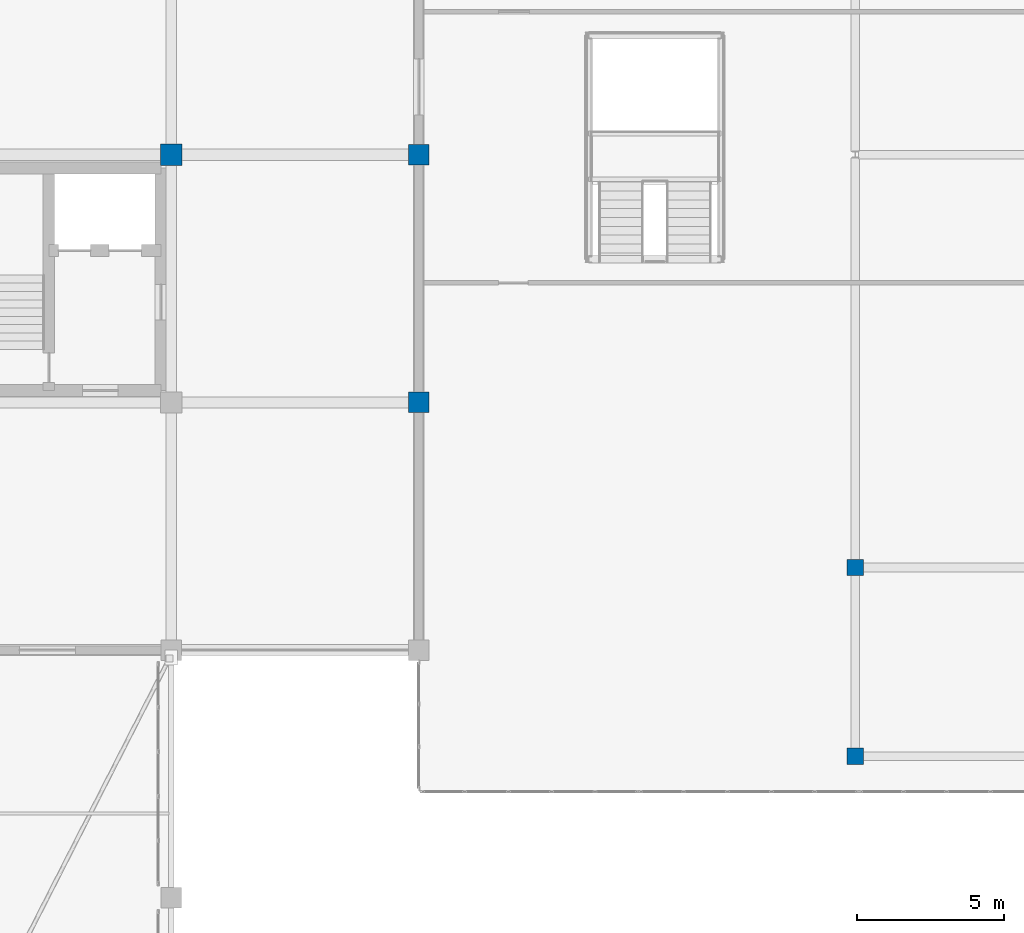
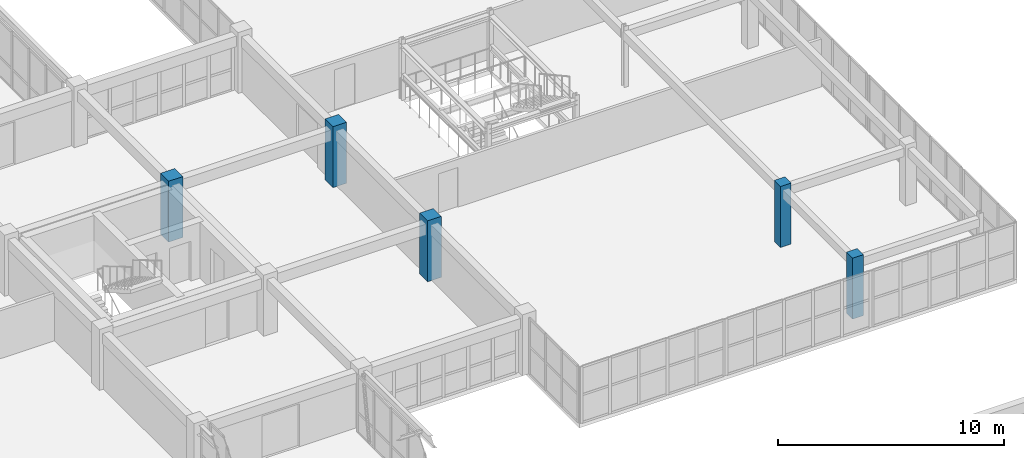
# One storey, part 5 of 148: 5 columns.
"""IFC4 building model written with IfcOpenShell, lengths in metres."""

from ifc_helpers import new_model, si_unit, direction, frame, origin, origin_2d, place, context, subcontext, project, spatial, rectangle, extrude, material, material_profile, profile_set, type_object, element, save


model = new_model("IFC4")

# Units and contexts
model_context = context("Model", 3, precision=1e-05, world=origin(), true_north=direction((0.0, 1.0)))
body_context = subcontext(model_context, "Body", "Model", "MODEL_VIEW")
ifc_project = project(units=[si_unit("LENGTHUNIT", "METRE"), si_unit("AREAUNIT", "SQUARE_METRE"), si_unit("VOLUMEUNIT", "CUBIC_METRE"), si_unit("PLANEANGLEUNIT", "RADIAN"), si_unit("MASSUNIT", "GRAM", prefix="KILO")], contexts=[model_context])

# Site, building, storey
site_placement = place(None, origin())
site = spatial("IfcSite", under=ifc_project, at=site_placement, CompositionType="ELEMENT")
building_placement = place(site_placement, origin())
building = spatial("IfcBuilding", under=site, at=building_placement, Name="Trelvath General Hospital", CompositionType="ELEMENT")
storey_placement = place(building_placement, frame((0.0, 0.0, 12.89990234375)))
storey = spatial("IfcBuildingStorey", under=building, at=storey_placement, Name="L03", CompositionType="ELEMENT", Elevation=12.89990234375)

# Columns
ifc_material_1 = material(Name="Concrete C40/50", Category="concrete")
ifc_material_profile_1 = material_profile(ifc_material_1, rectangle(XDim=0.550048828125, YDim=0.550048828125, at=origin_2d()), Name="RC550x550")
ifc_profile_set_1 = profile_set([ifc_material_profile_1], Name="Concrete C40/50")
column_type_1 = type_object("IfcColumnType", Name="Column RC550", PredefinedType="COLUMN", material=ifc_profile_set_1)
for number, where, z_axis, x_axis, name in (
    (1, (107.199951171875, 38.39990234375, 0.0), (0.0, 0.0, 1.0), (1.0, 0.0, 0.0), "Cube Interior Column CC-E01 L03"),
    (2, (107.199951171875, 44.800048828125, 0.0), (0.0, 0.0, 1.0), (1.0, 0.0, 0.0), "Cube Interior Column CC-E02 L03"),
):
    element("IfcColumn", number, at=place(storey_placement, frame(where, z_axis=z_axis, x_axis=x_axis)), inside=storey, type_object=column_type_1, Name=name, PredefinedType="COLUMN", context=body_context, shape_type="SweptSolid", body=[
        extrude(rectangle(XDim=0.550048828125, YDim=0.550048828125, at=origin_2d()), origin(), (0.0, 0.0, 1.0), 3.300048828125),
    ])
ifc_material_2 = material(Name="Concrete C40/50", Category="concrete")
ifc_material_profile_2 = material_profile(ifc_material_2, rectangle(XDim=0.699951171875, YDim=0.699951171875, at=origin_2d()), Name="RC700x700")
ifc_profile_set_2 = profile_set([ifc_material_profile_2], Name="Concrete C40/50")
column_type_2 = type_object("IfcColumnType", Name="Column RC700", PredefinedType="COLUMN", material=ifc_profile_set_2)
for number, where, z_axis, x_axis, name in (
    (3, (92.39990234375, 50.39990234375, 0.0), (0.0, 0.0, 1.0), (1.0, 0.0, 0.0), "Column C-12G L03"),
    (4, (92.39990234375, 58.800048828125, 0.0), (0.0, 0.0, 1.0), (1.0, 0.0, 0.0), "Column C-12H L03"),
):
    element("IfcColumn", number, at=place(storey_placement, frame(where, z_axis=z_axis, x_axis=x_axis)), inside=storey, type_object=column_type_2, Name=name, PredefinedType="COLUMN", context=body_context, shape_type="SweptSolid", body=[
        extrude(rectangle(XDim=0.699951171875, YDim=0.699951171875, at=origin_2d()), origin(), (0.0, 0.0, 1.0), 3.300048828125),
    ])
ifc_material_3 = material(Name="Concrete C40/50", Category="concrete")
ifc_material_profile_3 = material_profile(ifc_material_3, rectangle(XDim=0.719970703125, YDim=0.719970703125, at=origin_2d()), Name="RC720x720")
ifc_profile_set_3 = profile_set([ifc_material_profile_3], Name="Concrete C40/50")
column_type_3 = type_object("IfcColumnType", Name="Column RC720", PredefinedType="COLUMN", material=ifc_profile_set_3)
column_placement = place(storey_placement, frame((84.0, 58.800048828125, 0.0), z_axis=(0.0, 0.0, 1.0), x_axis=(1.0, 0.0, 0.0)))
element("IfcColumn", 5, at=column_placement, inside=storey, type_object=column_type_3, Name="Column C-11H L03", PredefinedType="COLUMN", context=body_context, shape_type="SweptSolid", body=[
    extrude(rectangle(XDim=0.719970703125, YDim=0.719970703125, at=origin_2d()), origin(), (0.0, 0.0, 1.0), 3.300048828125),
])

save(model, "model.ifc")
